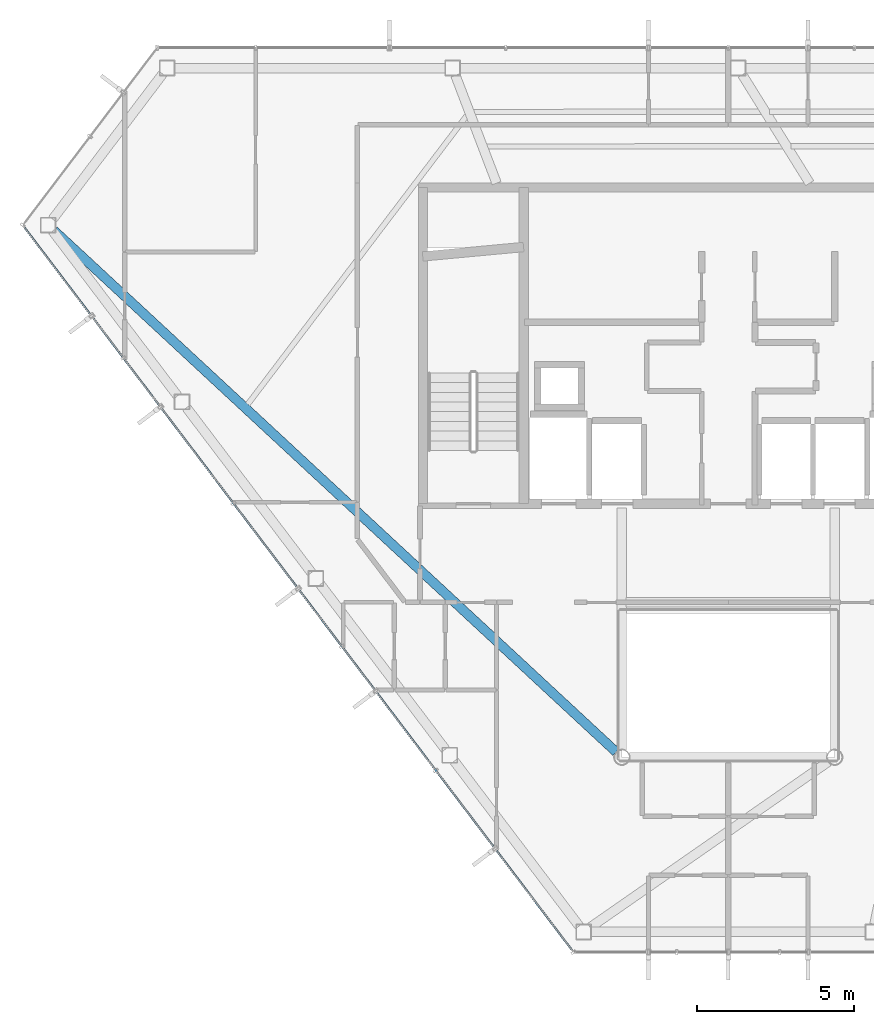
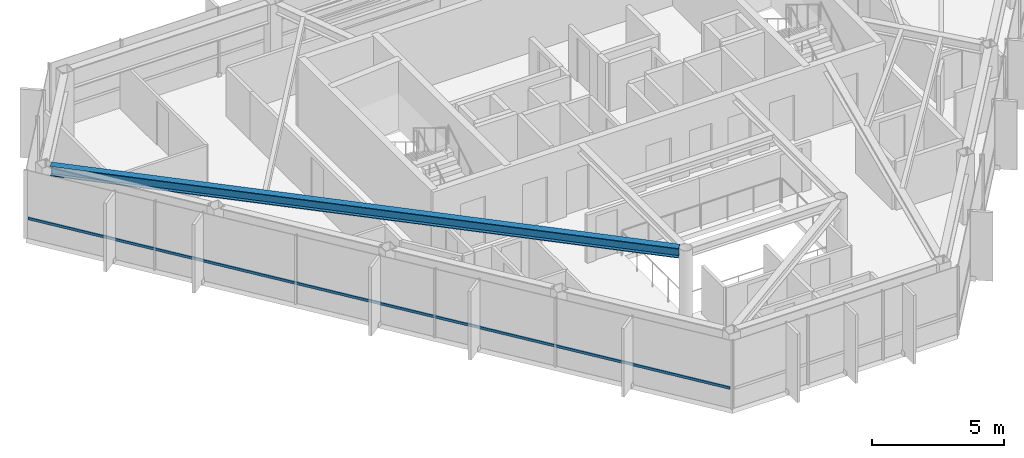
# One storey, part 4 of 25: 1 beam, 1 member, 1 element without a shape of its own.
"""IFC4 building model written with IfcOpenShell, lengths in metres."""

from ifc_helpers import new_model, si_unit, direction, frame, origin, origin_2d, place, context, subcontext, project, spatial, hollow_rectangle, i_section, extrude, material, layer, layer_set, material_profile, profile_set, type_object, element, aggregate, save


model = new_model("IFC4")

# Units and contexts
model_context = context("Model", 3, precision=1e-05, world=origin(), true_north=direction((0.0, 1.0)))
body_context = subcontext(model_context, "Body", "Model", "MODEL_VIEW")
ifc_project = project(units=[si_unit("LENGTHUNIT", "METRE"), si_unit("AREAUNIT", "SQUARE_METRE"), si_unit("VOLUMEUNIT", "CUBIC_METRE"), si_unit("PLANEANGLEUNIT", "RADIAN"), si_unit("MASSUNIT", "GRAM", prefix="KILO")], contexts=[model_context])

# Site, building, storey
site_placement = place(None, origin())
site = spatial("IfcSite", under=ifc_project, at=site_placement, CompositionType="ELEMENT")
building_placement = place(site_placement, origin())
building = spatial("IfcBuilding", under=site, at=building_placement, Name="Zarrinselat Tower", CompositionType="ELEMENT")
storey_placement = place(building_placement, frame((0.0, 0.0, 261.800048828125)))
storey = spatial("IfcBuildingStorey", under=building, at=storey_placement, Name="L66", CompositionType="ELEMENT", Elevation=261.800048828125)

# Beam
ifc_material_1 = material(Name="Steel S355J2", Category="steel")
ifc_material_profile_1 = material_profile(ifc_material_1, i_section(OverallWidth=0.300048828125, OverallDepth=0.449951171875, WebThickness=0.013916015625, FlangeThickness=0.02587890625, at=origin_2d()), Name="HEB 450")
ifc_profile_set_1 = profile_set([ifc_material_profile_1], Name="Steel S355J2")
beam_type = type_object("IfcBeamType", Name="BM-HEB450", PredefinedType="BEAM", material=ifc_profile_set_1)
beam_placement = place(storey_placement, frame((16.860107421875, 42.028076171875, 2.954833984375), z_axis=(0.733118598198, -0.680100816773, 0.0), x_axis=(0.680100816773, 0.733118598198, 0.0)))
element("IfcBeam", 1, at=beam_placement, inside=storey, type_object=beam_type, Name="L66 Radial Primary Girder RG06", PredefinedType="BEAM", context=body_context, shape_type="SweptSolid", body=[
    extrude(i_section(OverallWidth=0.300048828125, OverallDepth=0.449951171875, WebThickness=0.013916015625, FlangeThickness=0.02587890625, at=origin_2d()), origin(), (0.0, 0.0, 1.0), 24.493408203125),
])

# Curtain wall, member
ifc_material_2 = material(Name="Extruded Aluminium Alloy EN AW-6063 T6", Category="aluminium")
ifc_layer = layer(ifc_material_2, 0.169921875)
ifc_layer_set = layer_set([ifc_layer], Name="Extruded Aluminium Alloy EN AW-6063 T6")
curtain_wall_type = type_object("IfcCurtainWallType", Name="CWS-RES", PredefinedType="NOTDEFINED", material=ifc_layer_set)
curtain_wall_placement = place(storey_placement, origin())
curtain_wall = element("IfcCurtainWall", 2, at=curtain_wall_placement, inside=storey, type_object=curtain_wall_type, Name="L66 Unitised Curtain Wall CW-L66-E03", PredefinedType="NOTDEFINED")
ifc_material_3 = material(Name="Extruded Aluminium Alloy EN AW-6063 T6", Category="aluminium")
ifc_material_profile_2 = material_profile(ifc_material_3, hollow_rectangle(XDim=0.06005859375, YDim=0.1201171875, WallThickness=0.00390625, at=origin_2d()), Name="RHS 120x60x4")
ifc_profile_set_2 = profile_set([ifc_material_profile_2], Name="Extruded Aluminium Alloy EN AW-6063 T6")
member_type = type_object("IfcMemberType", Name="MEM-CW-TRN2", PredefinedType="USERDEFINED", material=ifc_profile_set_2)
member_placement = place(storey_placement, frame((15.914306640625, 42.127685546875, 0.949951171875), z_axis=(0.603861258611, -0.79708944313, 0.0), x_axis=(0.79708944313, 0.603861258611, 0.0)))
member = element("IfcMember", 3, at=member_placement, type_object=member_type, Name="CW-L66-E03 Transom 1", ObjectType="TRANSOM", PredefinedType="USERDEFINED", context=body_context, shape_type="SweptSolid", body=[
    extrude(hollow_rectangle(XDim=0.06005859375, YDim=0.1201171875, WallThickness=0.00390625, at=origin_2d()), origin(), (0.0, 0.0, 1.0), 28.961669921875),
])
aggregate(curtain_wall, [member])

save(model, "model.ifc")
